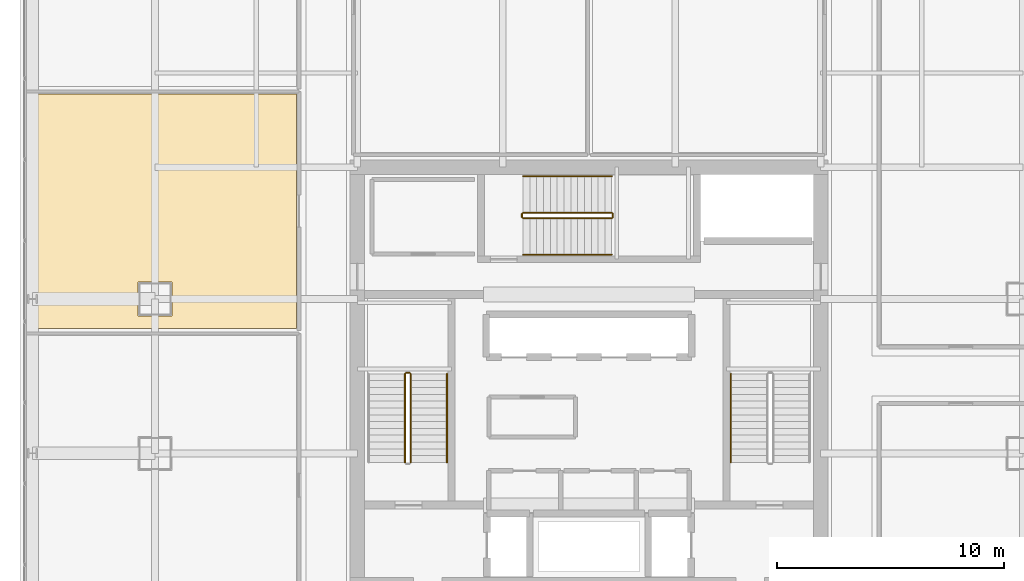
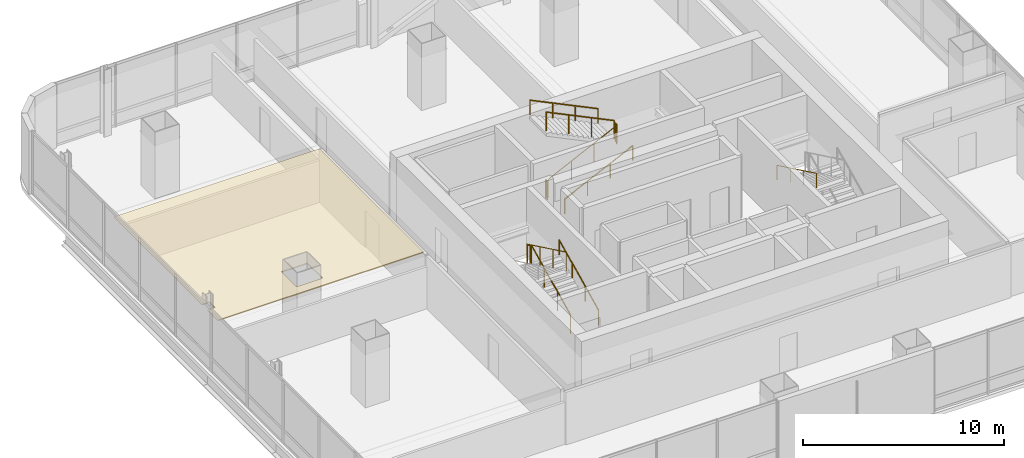
# One storey, part 34 of 38: 11 railings, 1 covering.
"""IFC4 building model written with IfcOpenShell, lengths in metres."""

from ifc_helpers import new_model, si_unit, direction, frame, origin, origin_2d, place, context, subcontext, project, spatial, polyline, circle, outline, extrude, material, layer, layer_set, type_object, element, save


model = new_model("IFC4")

# Units and contexts
model_context = context("Model", 3, precision=1e-05, world=origin(), true_north=direction((0.0, 1.0)))
body_context = subcontext(model_context, "Body", "Model", "MODEL_VIEW")
ifc_project = project(units=[si_unit("LENGTHUNIT", "METRE"), si_unit("AREAUNIT", "SQUARE_METRE"), si_unit("VOLUMEUNIT", "CUBIC_METRE"), si_unit("PLANEANGLEUNIT", "RADIAN"), si_unit("MASSUNIT", "GRAM", prefix="KILO")], contexts=[model_context])

# Site, building, storey
site_placement = place(None, origin())
site = spatial("IfcSite", under=ifc_project, at=site_placement, CompositionType="ELEMENT")
building_placement = place(site_placement, origin())
building = spatial("IfcBuilding", under=site, at=building_placement, Name="Punatoya Terracotta Tower", CompositionType="ELEMENT")
storey_placement = place(building_placement, frame((0.0, 0.0, 156.0)))
storey = spatial("IfcBuildingStorey", under=building, at=storey_placement, Name="L36", CompositionType="ELEMENT", Elevation=156.0)

# Covering
ifc_material_1 = material(Name="Acoustic Mineral Fibre Ceiling")
ifc_layer = layer(ifc_material_1, 0.06005859375)
ifc_layer_set = layer_set([ifc_layer], Name="Acoustic Mineral Fibre Ceiling")
covering_type = type_object("IfcCoveringType", Name="COV-CEIL-60", PredefinedType="CEILING", material=ifc_layer_set)
covering_placement = place(storey_placement, frame((0.0, 0.0, 3.219970703125)))
element("IfcCovering", 1, at=covering_placement, inside=storey, type_object=covering_type, Name="L36 Open-Plan Client Strategy Boardroom Acoustic Ceiling", PredefinedType="CEILING", context=body_context, shape_type="SweptSolid", body=[
    extrude(outline(polyline([(-24.669921875, 3.137451171875), (-24.669921875, 2.10009765625), (-12.8701171875, 2.10009765625), (-12.8701171875, 12.429931640625), (-24.669921875, 12.429931640625), (-24.669921875, 3.66259765625), (-24.24560546875, 3.66259765625), (-24.24560546875, 3.137451171875), (-24.669921875, 3.137451171875)]), holes=[polyline([(-18.35009765625, 4.14990234375), (-18.35009765625, 2.64990234375), (-19.85009765625, 2.64990234375), (-19.85009765625, 4.14990234375), (-18.35009765625, 4.14990234375)])]), origin(), (0.0, 0.0, 1.0), 0.06005859375),
])

# Railings
ifc_material_2 = material(Name="Steel S355", Category="steel")
railing_type_1 = type_object("IfcRailingType", Name="RLG-GRD-1150", PredefinedType="GUARDRAIL", material=ifc_material_2)
railing_1_placement = place(storey_placement, frame((-7.85009765625, -3.800048828125, 0.14453125)))
element("IfcRailing", 2, at=railing_1_placement, inside=storey, type_object=railing_type_1, Name="L36 ST-1 stair guard 1", PredefinedType="GUARDRAIL", context=body_context, shape_type="SweptSolid", body=[
    extrude(circle(Radius=0.02392578125, at=origin_2d()), frame((0.0, 0.0, 1.1259765625), z_axis=(0.0, 0.900773802044, 0.434288564841), x_axis=(-1.0, 0.0, 0.0)), (0.0, 0.0, 1.0), 4.329833984375),
    extrude(circle(Radius=0.02099609375, at=origin_2d()), origin(), (0.0, 0.0, 1.0), 1.101806640625),
    extrude(circle(Radius=0.02099609375, at=origin_2d()), frame((0.0, 1.300048828125, 0.626708984375)), (0.0, 0.0, 1.0), 1.101806640625),
    extrude(circle(Radius=0.02099609375, at=origin_2d()), frame((0.0, 2.60009765625, 1.253662109375)), (0.0, 0.0, 1.0), 1.101806640625),
    extrude(circle(Radius=0.02099609375, at=origin_2d()), frame((0.0, 3.900146484375, 1.88037109375)), (0.0, 0.0, 1.0), 1.101806640625),
])
railing_2_placement = place(storey_placement, frame((-7.89990234375, 0.14990234375, 2.02490234375)))
element("IfcRailing", 3, at=railing_2_placement, inside=storey, type_object=railing_type_1, Name="L36 ST-1 stair guard 2", PredefinedType="GUARDRAIL", context=body_context, shape_type="SweptSolid", body=[
    extrude(circle(Radius=0.02392578125, at=origin_2d()), frame((0.0, 0.0, 1.1259765625), z_axis=(-1.0, 0.0, 0.0), x_axis=(0.0, -1.0, 0.0)), (0.0, 0.0, 1.0), 0.150146484375),
    extrude(circle(Radius=0.02099609375, at=origin_2d()), origin(), (0.0, 0.0, 1.0), 1.101806640625),
    extrude(circle(Radius=0.02099609375, at=origin_2d()), frame((-0.150146484375, 0.0, 0.0)), (0.0, 0.0, 1.0), 1.101806640625),
])
railing_3_placement = place(storey_placement, frame((-8.10009765625, 0.10009765625, 2.169677734375)))
element("IfcRailing", 4, at=railing_3_placement, inside=storey, type_object=railing_type_1, Name="L36 ST-1 stair guard 3", PredefinedType="GUARDRAIL", context=body_context, shape_type="SweptSolid", body=[
    extrude(circle(Radius=0.02392578125, at=origin_2d()), frame((0.0, 0.0, 1.1259765625), z_axis=(0.0, -0.900773802044, 0.434288564841), x_axis=(1.0, 0.0, 0.0)), (0.0, 0.0, 1.0), 4.329833984375),
    extrude(circle(Radius=0.02099609375, at=origin_2d()), origin(), (0.0, 0.0, 1.0), 1.101806640625),
    extrude(circle(Radius=0.02099609375, at=origin_2d()), frame((0.0, -1.300048828125, 0.626708984375)), (0.0, 0.0, 1.0), 1.101806640625),
    extrude(circle(Radius=0.02099609375, at=origin_2d()), frame((0.0, -2.60009765625, 1.253662109375)), (0.0, 0.0, 1.0), 1.101806640625),
    extrude(circle(Radius=0.02099609375, at=origin_2d()), frame((0.0, -3.900146484375, 1.88037109375)), (0.0, 0.0, 1.0), 1.101806640625),
])
railing_4_placement = place(storey_placement, frame((-2.89990234375, 6.949951171875, 0.14453125)))
element("IfcRailing", 5, at=railing_4_placement, inside=storey, type_object=railing_type_1, Name="L36 ST-3 stair guard 1", PredefinedType="GUARDRAIL", context=body_context, shape_type="SweptSolid", body=[
    extrude(circle(Radius=0.02392578125, at=origin_2d()), frame((0.0, 0.0, 1.1259765625), z_axis=(0.900763166376, 0.0, 0.434310623978), x_axis=(0.0, 1.0, 0.0)), (0.0, 0.0, 1.0), 4.32958984375),
    extrude(circle(Radius=0.02099609375, at=origin_2d()), origin(), (0.0, 0.0, 1.0), 1.101806640625),
    extrude(circle(Radius=0.02099609375, at=origin_2d()), frame((1.300048828125, 0.0, 0.626708984375)), (0.0, 0.0, 1.0), 1.101806640625),
    extrude(circle(Radius=0.02099609375, at=origin_2d()), frame((2.599853515625, 0.0, 1.253662109375)), (0.0, 0.0, 1.0), 1.101806640625),
    extrude(circle(Radius=0.02099609375, at=origin_2d()), frame((3.89990234375, 0.0, 1.88037109375)), (0.0, 0.0, 1.0), 1.101806640625),
])
railing_5_placement = place(storey_placement, frame((1.050048828125, 7.0, 2.02490234375)))
element("IfcRailing", 6, at=railing_5_placement, inside=storey, type_object=railing_type_1, Name="L36 ST-3 stair guard 2", PredefinedType="GUARDRAIL", context=body_context, shape_type="SweptSolid", body=[
    extrude(circle(Radius=0.02392578125, at=origin_2d()), frame((0.0, 0.0, 1.1259765625), z_axis=(0.0, 1.0, 0.0), x_axis=(-1.0, 0.0, 0.0)), (0.0, 0.0, 1.0), 0.14990234375),
    extrude(circle(Radius=0.02099609375, at=origin_2d()), origin(), (0.0, 0.0, 1.0), 1.101806640625),
    extrude(circle(Radius=0.02099609375, at=origin_2d()), frame((0.0, 0.14990234375, 0.0)), (0.0, 0.0, 1.0), 1.101806640625),
])
railing_6_placement = place(storey_placement, frame((1.0, 7.199951171875, 2.169677734375)))
element("IfcRailing", 7, at=railing_6_placement, inside=storey, type_object=railing_type_1, Name="L36 ST-3 stair guard 3", PredefinedType="GUARDRAIL", context=body_context, shape_type="SweptSolid", body=[
    extrude(circle(Radius=0.02392578125, at=origin_2d()), frame((0.0, 0.0, 1.1259765625), z_axis=(-0.900763166376, 0.0, 0.434310623978), x_axis=(0.0, -1.0, 0.0)), (0.0, 0.0, 1.0), 4.32958984375),
    extrude(circle(Radius=0.02099609375, at=origin_2d()), origin(), (0.0, 0.0, 1.0), 1.101806640625),
    extrude(circle(Radius=0.02099609375, at=origin_2d()), frame((-1.300048828125, 0.0, 0.626708984375)), (0.0, 0.0, 1.0), 1.101806640625),
    extrude(circle(Radius=0.02099609375, at=origin_2d()), frame((-2.599853515625, 0.0, 1.253662109375)), (0.0, 0.0, 1.0), 1.101806640625),
    extrude(circle(Radius=0.02099609375, at=origin_2d()), frame((-3.89990234375, 0.0, 1.88037109375)), (0.0, 0.0, 1.0), 1.101806640625),
])
railing_7_placement = place(storey_placement, frame((-2.949951171875, 7.0, 0.0)))
element("IfcRailing", 8, at=railing_7_placement, inside=storey, type_object=railing_type_1, Name="L36 ST-3 stair guard 4", PredefinedType="GUARDRAIL", context=body_context, shape_type="SweptSolid", body=[
    extrude(circle(Radius=0.02392578125, at=origin_2d()), frame((0.0, 0.0, 1.1259765625), z_axis=(0.0, 1.0, 0.0), x_axis=(-1.0, 0.0, 0.0)), (0.0, 0.0, 1.0), 0.14990234375),
    extrude(circle(Radius=0.02099609375, at=origin_2d()), origin(), (0.0, 0.0, 1.0), 1.101806640625),
    extrude(circle(Radius=0.02099609375, at=origin_2d()), frame((0.0, 0.14990234375, 0.0)), (0.0, 0.0, 1.0), 1.101806640625),
])
railing_type_2 = type_object("IfcRailingType", Name="RLG-HND-900", PredefinedType="HANDRAIL", material=ifc_material_2)
railing_8_placement = place(storey_placement, frame((-6.25, -3.800048828125, 0.14453125)))
element("IfcRailing", 9, at=railing_8_placement, inside=storey, type_object=railing_type_2, Name="L36 ST-1 stair handrail 1", PredefinedType="HANDRAIL", context=body_context, shape_type="SweptSolid", body=[
    extrude(circle(Radius=0.02392578125, at=origin_2d()), frame((0.0, 0.0, 0.8759765625), z_axis=(0.0, 0.900773802044, 0.434288564841), x_axis=(-1.0, 0.0, 0.0)), (0.0, 0.0, 1.0), 4.329833984375),
    extrude(circle(Radius=0.02099609375, at=origin_2d()), origin(), (0.0, 0.0, 1.0), 0.851806640625),
    extrude(circle(Radius=0.02099609375, at=origin_2d()), frame((0.0, 1.300048828125, 0.626708984375)), (0.0, 0.0, 1.0), 0.851806640625),
    extrude(circle(Radius=0.02099609375, at=origin_2d()), frame((0.0, 2.60009765625, 1.253662109375)), (0.0, 0.0, 1.0), 0.851806640625),
    extrude(circle(Radius=0.02099609375, at=origin_2d()), frame((0.0, 3.900146484375, 1.88037109375)), (0.0, 0.0, 1.0), 0.851806640625),
])
railing_9_placement = place(storey_placement, frame((6.25, 0.10009765625, 2.169677734375)))
element("IfcRailing", 10, at=railing_9_placement, inside=storey, type_object=railing_type_2, Name="L36 ST-2 stair handrail 2", PredefinedType="HANDRAIL", context=body_context, shape_type="SweptSolid", body=[
    extrude(circle(Radius=0.02392578125, at=origin_2d()), frame((0.0, 0.0, 0.8759765625), z_axis=(0.0, -0.900773802044, 0.434288564841), x_axis=(1.0, 0.0, 0.0)), (0.0, 0.0, 1.0), 4.329833984375),
    extrude(circle(Radius=0.02099609375, at=origin_2d()), origin(), (0.0, 0.0, 1.0), 0.851806640625),
    extrude(circle(Radius=0.02099609375, at=origin_2d()), frame((0.0, -1.300048828125, 0.626708984375)), (0.0, 0.0, 1.0), 0.851806640625),
    extrude(circle(Radius=0.02099609375, at=origin_2d()), frame((0.0, -2.60009765625, 1.253662109375)), (0.0, 0.0, 1.0), 0.851806640625),
    extrude(circle(Radius=0.02099609375, at=origin_2d()), frame((0.0, -3.900146484375, 1.88037109375)), (0.0, 0.0, 1.0), 0.851806640625),
])
railing_10_placement = place(storey_placement, frame((-2.89990234375, 5.35009765625, 0.14453125)))
element("IfcRailing", 11, at=railing_10_placement, inside=storey, type_object=railing_type_2, Name="L36 ST-3 stair handrail 1", PredefinedType="HANDRAIL", context=body_context, shape_type="SweptSolid", body=[
    extrude(circle(Radius=0.02392578125, at=origin_2d()), frame((0.0, 0.0, 0.8759765625), z_axis=(0.900763166376, 0.0, 0.434310623978), x_axis=(0.0, 1.0, 0.0)), (0.0, 0.0, 1.0), 4.32958984375),
    extrude(circle(Radius=0.02099609375, at=origin_2d()), origin(), (0.0, 0.0, 1.0), 0.851806640625),
    extrude(circle(Radius=0.02099609375, at=origin_2d()), frame((1.300048828125, 0.0, 0.626708984375)), (0.0, 0.0, 1.0), 0.851806640625),
    extrude(circle(Radius=0.02099609375, at=origin_2d()), frame((2.599853515625, 0.0, 1.253662109375)), (0.0, 0.0, 1.0), 0.851806640625),
    extrude(circle(Radius=0.02099609375, at=origin_2d()), frame((3.89990234375, 0.0, 1.88037109375)), (0.0, 0.0, 1.0), 0.851806640625),
])
railing_11_placement = place(storey_placement, frame((1.0, 8.800048828125, 2.169677734375)))
element("IfcRailing", 12, at=railing_11_placement, inside=storey, type_object=railing_type_2, Name="L36 ST-3 stair handrail 2", PredefinedType="HANDRAIL", context=body_context, shape_type="SweptSolid", body=[
    extrude(circle(Radius=0.02392578125, at=origin_2d()), frame((0.0, 0.0, 0.8759765625), z_axis=(-0.900763166376, 0.0, 0.434310623978), x_axis=(0.0, -1.0, 0.0)), (0.0, 0.0, 1.0), 4.32958984375),
    extrude(circle(Radius=0.02099609375, at=origin_2d()), origin(), (0.0, 0.0, 1.0), 0.851806640625),
    extrude(circle(Radius=0.02099609375, at=origin_2d()), frame((-1.300048828125, 0.0, 0.626708984375)), (0.0, 0.0, 1.0), 0.851806640625),
    extrude(circle(Radius=0.02099609375, at=origin_2d()), frame((-2.599853515625, 0.0, 1.253662109375)), (0.0, 0.0, 1.0), 0.851806640625),
    extrude(circle(Radius=0.02099609375, at=origin_2d()), frame((-3.89990234375, 0.0, 1.88037109375)), (0.0, 0.0, 1.0), 0.851806640625),
])

save(model, "model.ifc")
